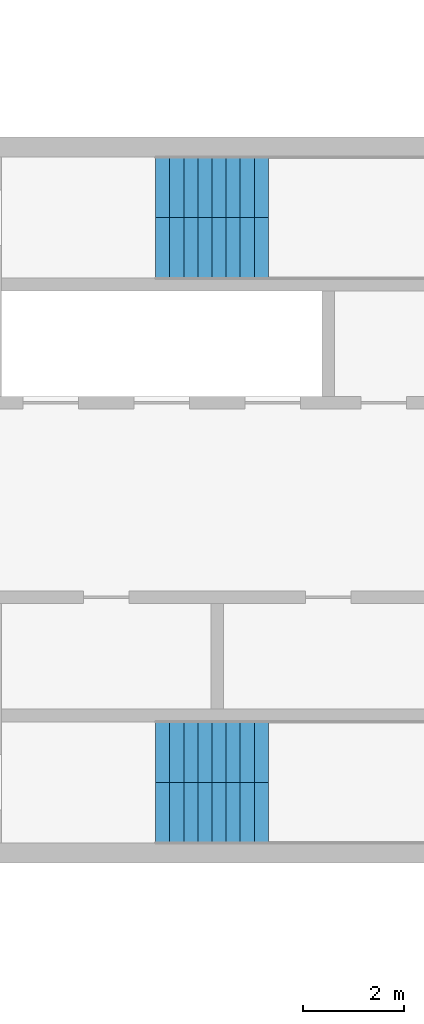
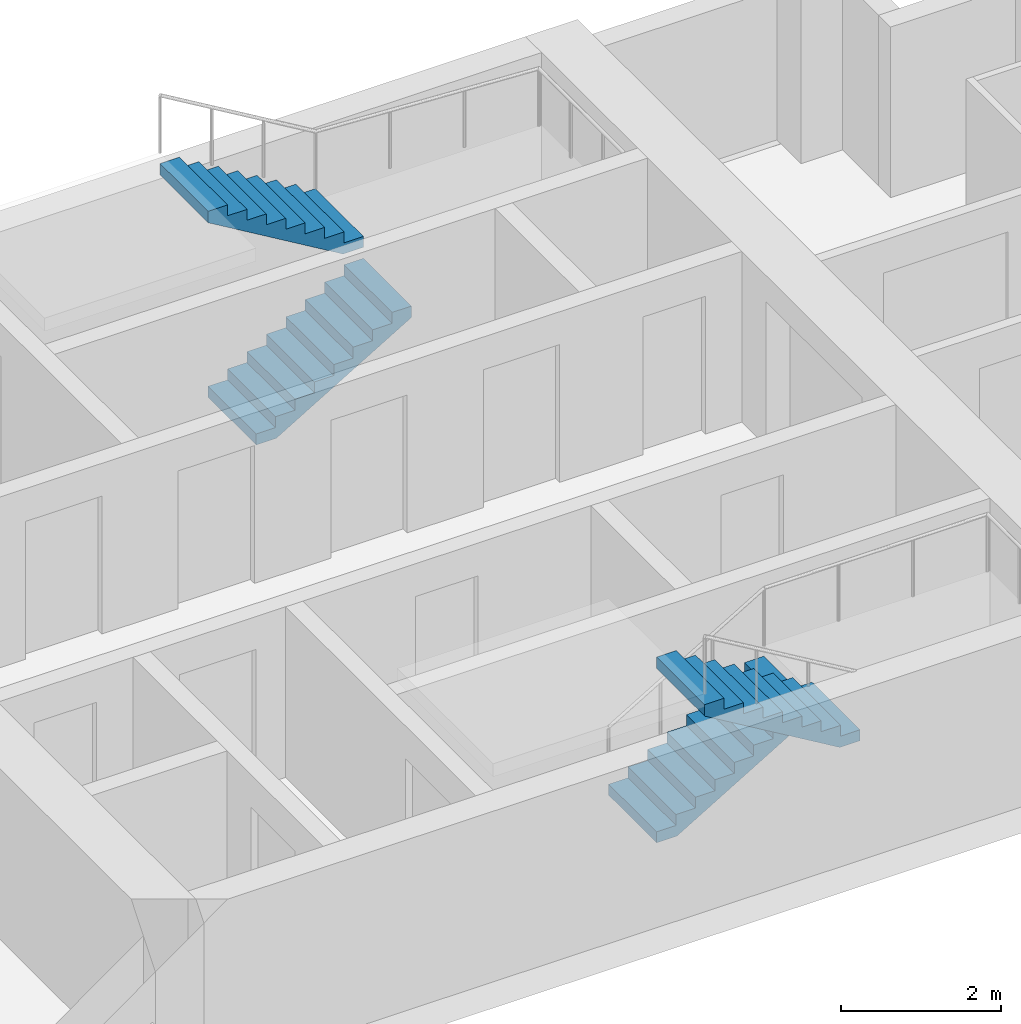
# One storey, part 8 of 10: 4 stair flights, 2 elements without a shape of their own.
"""IFC4 building model written with IfcOpenShell, lengths in metres."""

import ifcopenshell
import ifcopenshell.guid

model = None  # the IFC model being written
_history = None  # IfcOwnerHistory: only IFC2X3 demands one
_inside = {}  # id of a spatial element -> (the spatial element, [elements in it])
_under = {}  # id of a project, library or spatial element -> (it, [spatial elements below it])
_declared = {}  # id of a project -> (the project, [libraries it declares])
_typed = {}  # id of a type object -> (the type object, [elements of that type])
_made_of = {}  # id of a material, layer set ... -> (it, [elements and type objects made of it])


def new_model(schema):
    """Start an empty IFC model of exactly this schema.

    Asked for "IFC4X3", IfcOpenShell would pick the latest addendum, in which some entities
    have other attributes; the version numbers below select the first issue.
    IFC2X3 requires an IfcOwnerHistory on every rooted entity: one is made here for all.
    """
    global model, _history
    if schema == "IFC4X3":
        model = ifcopenshell.file(schema_version=(4, 3, 0, 0))
    else:
        model = ifcopenshell.file(schema=schema)
    _inside.clear()
    _under.clear()
    _declared.clear()
    _typed.clear()
    _made_of.clear()
    _history = None
    if model.schema == "IFC2X3":
        org = make("IfcOrganization", Name="unknown")
        user = make(
            "IfcPersonAndOrganization",
            ThePerson=make("IfcPerson", FamilyName="unknown"),
            TheOrganization=org,
        )
        app = make(
            "IfcApplication",
            ApplicationDeveloper=org,
            Version="unknown",
            ApplicationFullName="unknown",
            ApplicationIdentifier="unknown",
        )
        _history = make(
            "IfcOwnerHistory",
            OwningUser=user,
            OwningApplication=app,
            ChangeAction="ADDED",
            CreationDate=0,
        )
    return model


def make(cls, **values):
    """One entity of the class cls with the attributes given. An attribute that is None is left unset."""
    return model.create_entity(
        cls, **{name: value for name, value in values.items() if value is not None}
    )


def rooted(cls, **values):
    """An entity with a GlobalId (a new one), such as an element, a storey or a relation."""
    return make(cls, GlobalId=ifcopenshell.guid.new(), OwnerHistory=_history, **values)


def si_unit(unit_type, name, prefix=None):
    """IfcSIUnit, for example si_unit("LENGTHUNIT", "METRE", prefix="MILLI")."""
    return make("IfcSIUnit", UnitType=unit_type, Prefix=prefix, Name=name)


def assignment(units):
    """IfcUnitAssignment: the units of a project."""
    return None if units is None else make("IfcUnitAssignment", Units=units)


def point(xyz):
    """IfcCartesianPoint."""
    return None if xyz is None else make("IfcCartesianPoint", Coordinates=xyz)


def direction(xyz):
    """IfcDirection."""
    return None if xyz is None else make("IfcDirection", DirectionRatios=xyz)


def frame(location, z_axis=None, x_axis=None):
    """IfcAxis2Placement3D, a coordinate frame: its origin and axes. An axis left out is left unset."""
    return make(
        "IfcAxis2Placement3D",
        Location=point(location),
        Axis=direction(z_axis),
        RefDirection=direction(x_axis),
    )


def origin():
    """The frame at (0, 0, 0) with its axes left unset."""
    return frame((0.0, 0.0, 0.0))


def place(relative_to, where):
    """IfcLocalPlacement: puts the frame where relative to a parent placement (None: the world)."""
    return make(
        "IfcLocalPlacement", PlacementRelTo=relative_to, RelativePlacement=where
    )


def context(
    kind, dimensions, precision=None, world=None, true_north=None, identifier=None
):
    """IfcGeometricRepresentationContext, for example the 3D "Model" context."""
    return make(
        "IfcGeometricRepresentationContext",
        ContextIdentifier=identifier,
        ContextType=kind,
        CoordinateSpaceDimension=dimensions,
        Precision=precision,
        WorldCoordinateSystem=world,
        TrueNorth=true_north,
    )


def subcontext(parent, identifier, kind, view, scale=None):
    """IfcGeometricRepresentationSubContext, for example "Body" below "Model"."""
    return make(
        "IfcGeometricRepresentationSubContext",
        ContextIdentifier=identifier,
        ContextType=kind,
        ParentContext=parent,
        TargetScale=scale,
        TargetView=view,
    )


def project(units=None, contexts=None):
    """IfcProject with its units and contexts."""
    return rooted(
        "IfcProject",
        Name="project",
        RepresentationContexts=contexts,
        UnitsInContext=assignment(units),
    )


def spatial(cls, under=None, at=None, **own):
    """A site, building, storey or space (cls), placed at a placement, below another one or the project."""
    s = rooted(cls, ObjectPlacement=at, **own)
    if under is not None:
        _under.setdefault(under.id(), (under, []))[1].append(s)
    return s


def polyline(points):
    """IfcPolyline through the points."""
    return make("IfcPolyline", Points=[point(p) for p in points])


def outline(outer, holes=None, kind="AREA"):
    """IfcArbitraryClosedProfileDef: a profile drawn as a closed curve; with holes, ...WithVoids."""
    if holes is None:
        return make("IfcArbitraryClosedProfileDef", ProfileType=kind, OuterCurve=outer)
    return make(
        "IfcArbitraryProfileDefWithVoids",
        ProfileType=kind,
        OuterCurve=outer,
        InnerCurves=holes,
    )


def extrude(swept, where, along, depth):
    """IfcExtrudedAreaSolid: the profile swept, set in the frame where, extruded along a direction by depth."""
    return make(
        "IfcExtrudedAreaSolid",
        SweptArea=swept,
        Position=where,
        ExtrudedDirection=direction(along),
        Depth=depth,
    )


def shape(context_of_items, identifier, shape_type, items):
    """IfcShapeRepresentation: the items that make up one representation, for example the "Body"."""
    return make(
        "IfcShapeRepresentation",
        ContextOfItems=context_of_items,
        RepresentationIdentifier=identifier,
        RepresentationType=shape_type,
        Items=items,
    )


def material(Name=None, Category=None):
    """IfcMaterial."""
    return make("IfcMaterial", Name=Name, Category=Category)


def made_of(thing, what):
    """Note that an element or type object is made of a material, layer set ...; save() writes the relation."""
    if what is not None:
        _made_of.setdefault(what.id(), (what, []))[1].append(thing)
    return thing


def type_object(cls, material=None, **own):
    """A type object (cls), such as IfcWallType, which elements share."""
    return made_of(rooted(cls, **own), material)


def element(
    cls,
    number,
    at=None,
    inside=None,
    cuts=None,
    type_object=None,
    material=None,
    context=None,
    identifier="Body",
    shape_type=None,
    held_by="IfcProductDefinitionShape",
    body=None,
    shapes=None,
    **own,
):
    """One element of the class cls, such as IfcWall. Its Tag is "e" and its number.

    at: its placement. inside: the storey or other place that contains it. cuts: it is an
    opening in that element (IfcRelVoidsElement). A single representation is given by context,
    identifier, shape_type and body (its items); several are given by shapes. held_by: the class
    of the entity that holds the representations. save() writes the other relations.
    """
    e = rooted(cls, Tag="e%d" % number, ObjectPlacement=at, **own)
    if body is not None:
        shapes = [shape(context, identifier, shape_type, body)]
    if shapes is not None:
        e.Representation = make(held_by, Representations=shapes)
    if inside is not None:
        _inside.setdefault(inside.id(), (inside, []))[1].append(e)
    if cuts is not None:
        rooted(
            "IfcRelVoidsElement", RelatingBuildingElement=cuts, RelatedOpeningElement=e
        )
    if type_object is not None:
        _typed.setdefault(type_object.id(), (type_object, []))[1].append(e)
    return made_of(e, material)


def aggregate(whole, parts):
    """IfcRelAggregates: a whole, such as a stair, and the parts it consists of."""
    return rooted("IfcRelAggregates", RelatingObject=whole, RelatedObjects=parts)


def save(model, path):
    """Write the relations noted so far, then the file.

    IfcRelAggregates (storeys below a building ...), IfcRelContainedInSpatialStructure (elements
    in a storey), IfcRelDefinesByType, IfcRelAssociatesMaterial and IfcRelDeclares: one each for
    every whole, place, type object, material and project.
    """
    for whole, parts in _under.values():
        aggregate(whole, parts)
    for where, things in _inside.values():
        rooted(
            "IfcRelContainedInSpatialStructure",
            RelatedElements=things,
            RelatingStructure=where,
        )
    for kind, things in _typed.values():
        rooted("IfcRelDefinesByType", RelatedObjects=things, RelatingType=kind)
    for what, things in _made_of.values():
        rooted("IfcRelAssociatesMaterial", RelatedObjects=things, RelatingMaterial=what)
    for by, libraries in _declared.values():
        rooted("IfcRelDeclares", RelatingContext=by, RelatedDefinitions=libraries)
    model.write(path)


model = new_model("IFC4")

# Units and contexts
model_context = context("Model", 3, precision=1e-05, world=origin(), true_north=direction((0.0, 1.0)))
body_context = subcontext(model_context, "Body", "Model", "MODEL_VIEW")
ifc_project = project(units=[si_unit("LENGTHUNIT", "METRE"), si_unit("AREAUNIT", "SQUARE_METRE"), si_unit("VOLUMEUNIT", "CUBIC_METRE"), si_unit("PLANEANGLEUNIT", "RADIAN"), si_unit("MASSUNIT", "GRAM", prefix="KILO")], contexts=[model_context])

# Site, building, storey
site_placement = place(None, origin())
site = spatial("IfcSite", under=ifc_project, at=site_placement, CompositionType="ELEMENT")
building_placement = place(site_placement, origin())
building = spatial("IfcBuilding", under=site, at=building_placement, Name="Fustian Cross Tower", CompositionType="ELEMENT")
storey_placement = place(building_placement, frame((0.0, 0.0, 201.89990234375)))
storey = spatial("IfcBuildingStorey", under=building, at=storey_placement, Name="L63", CompositionType="ELEMENT", Elevation=201.89990234375)

# Stair, stair flights
ifc_material_1 = material(Name="Concrete C50/60", Category="concrete")
stair_type = type_object("IfcStairType", Name="STAIR 1200 HALF TURN", PredefinedType="HALF_TURN_STAIR", material=ifc_material_1)
stair_1_placement = place(storey_placement, origin())
stair_1 = element("IfcStair", 1, at=stair_1_placement, inside=storey, type_object=stair_type, Name="Stair ST1", PredefinedType="HALF_TURN_STAIR")
ifc_material_2 = material(Name="Concrete C50/60", Category="concrete")
stair_flight_type = type_object("IfcStairFlightType", Name="STAIR FLIGHT 1200", PredefinedType="STRAIGHT", material=ifc_material_2)
stair_flight_1_placement = place(storey_placement, frame((15.35009765625, 5.0, 0.0), z_axis=(0.0, 0.0, 1.0), x_axis=(1.0, 0.0, 0.0)))
stair_flight_1 = element("IfcStairFlight", 2, at=stair_flight_1_placement, type_object=stair_flight_type, Name="ST1 flight 1", NumberOfRisers=9, NumberOfTreads=8, PredefinedType="STRAIGHT", RiserHeight=0.166666667, TreadLength=0.28, context=body_context, shape_type="SweptSolid", body=[
    extrude(outline(polyline([(0.0, 0.0), (0.0, 0.166748046875), (0.280029296875, 0.166748046875), (0.280029296875, 0.333251953125), (0.56005859375, 0.333251953125), (0.56005859375, 0.5), (0.840087890625, 0.5), (0.840087890625, 0.666748046875), (1.1201171875, 0.666748046875), (1.1201171875, 0.833251953125), (1.39990234375, 0.833251953125), (1.39990234375, 1.0), (1.679931640625, 1.0), (1.679931640625, 1.166748046875), (1.9599609375, 1.166748046875), (1.9599609375, 1.333251953125), (2.239990234375, 1.333251953125), (2.239990234375, 1.5), (2.239990234375, 1.158935546875), (0.29296875, 0.0), (0.0, 0.0)])), frame((0.0, 0.60009765625, 0.0), z_axis=(0.0, -1.0, 0.0), x_axis=(1.0, 0.0, 0.0)), (0.0, 0.0, 1.0), 1.199951171875),
])
stair_flight_2_placement = place(storey_placement, frame((17.590087890625, 6.199951171875, 1.5), z_axis=(0.0, 0.0, 1.0), x_axis=(-1.0, 0.0, 0.0)))
stair_flight_2 = element("IfcStairFlight", 3, at=stair_flight_2_placement, type_object=stair_flight_type, Name="ST1 flight 2", NumberOfRisers=9, NumberOfTreads=8, PredefinedType="STRAIGHT", RiserHeight=0.166666667, TreadLength=0.28, context=body_context, shape_type="SweptSolid", body=[
    extrude(outline(polyline([(0.0, 0.0), (0.0, 0.166748046875), (0.280029296875, 0.166748046875), (0.280029296875, 0.333251953125), (0.56005859375, 0.333251953125), (0.56005859375, 0.5), (0.840087890625, 0.5), (0.840087890625, 0.666748046875), (1.1201171875, 0.666748046875), (1.1201171875, 0.833251953125), (1.39990234375, 0.833251953125), (1.39990234375, 1.0), (1.679931640625, 1.0), (1.679931640625, 1.166748046875), (1.9599609375, 1.166748046875), (1.9599609375, 1.333251953125), (2.239990234375, 1.333251953125), (2.239990234375, 1.5), (2.239990234375, 1.158935546875), (0.29296875, 0.0), (0.0, 0.0)])), frame((0.0, 0.60009765625, 0.0), z_axis=(0.0, -1.0, 0.0), x_axis=(1.0, 0.0, 0.0)), (0.0, 0.0, 1.0), 1.199951171875),
])
aggregate(stair_1, [stair_flight_1, stair_flight_2])

stair_2_placement = place(storey_placement, origin())
stair_2 = element("IfcStair", 4, at=stair_2_placement, inside=storey, type_object=stair_type, Name="Stair ST2", PredefinedType="HALF_TURN_STAIR")
stair_flight_3_placement = place(storey_placement, frame((15.35009765625, -5.0, 0.0), z_axis=(0.0, 0.0, 1.0), x_axis=(1.0, 0.0, 0.0)))
stair_flight_3 = element("IfcStairFlight", 5, at=stair_flight_3_placement, type_object=stair_flight_type, Name="ST2 flight 1", NumberOfRisers=9, NumberOfTreads=8, PredefinedType="STRAIGHT", RiserHeight=0.166666667, TreadLength=0.28, context=body_context, shape_type="SweptSolid", body=[
    extrude(outline(polyline([(0.0, 0.0), (0.0, 0.166748046875), (0.280029296875, 0.166748046875), (0.280029296875, 0.333251953125), (0.56005859375, 0.333251953125), (0.56005859375, 0.5), (0.840087890625, 0.5), (0.840087890625, 0.666748046875), (1.1201171875, 0.666748046875), (1.1201171875, 0.833251953125), (1.39990234375, 0.833251953125), (1.39990234375, 1.0), (1.679931640625, 1.0), (1.679931640625, 1.166748046875), (1.9599609375, 1.166748046875), (1.9599609375, 1.333251953125), (2.239990234375, 1.333251953125), (2.239990234375, 1.5), (2.239990234375, 1.158935546875), (0.29296875, 0.0), (0.0, 0.0)])), frame((0.0, 0.60009765625, 0.0), z_axis=(0.0, -1.0, 0.0), x_axis=(1.0, 0.0, 0.0)), (0.0, 0.0, 1.0), 1.199951171875),
])
stair_flight_4_placement = place(storey_placement, frame((17.590087890625, -6.199951171875, 1.5), z_axis=(0.0, 0.0, 1.0), x_axis=(-1.0, 0.0, 0.0)))
stair_flight_4 = element("IfcStairFlight", 6, at=stair_flight_4_placement, type_object=stair_flight_type, Name="ST2 flight 2", NumberOfRisers=9, NumberOfTreads=8, PredefinedType="STRAIGHT", RiserHeight=0.166666667, TreadLength=0.28, context=body_context, shape_type="SweptSolid", body=[
    extrude(outline(polyline([(0.0, 0.0), (0.0, 0.166748046875), (0.280029296875, 0.166748046875), (0.280029296875, 0.333251953125), (0.56005859375, 0.333251953125), (0.56005859375, 0.5), (0.840087890625, 0.5), (0.840087890625, 0.666748046875), (1.1201171875, 0.666748046875), (1.1201171875, 0.833251953125), (1.39990234375, 0.833251953125), (1.39990234375, 1.0), (1.679931640625, 1.0), (1.679931640625, 1.166748046875), (1.9599609375, 1.166748046875), (1.9599609375, 1.333251953125), (2.239990234375, 1.333251953125), (2.239990234375, 1.5), (2.239990234375, 1.158935546875), (0.29296875, 0.0), (0.0, 0.0)])), frame((0.0, 0.60009765625, 0.0), z_axis=(0.0, -1.0, 0.0), x_axis=(1.0, 0.0, 0.0)), (0.0, 0.0, 1.0), 1.199951171875),
])
aggregate(stair_2, [stair_flight_3, stair_flight_4])

save(model, "model.ifc")
